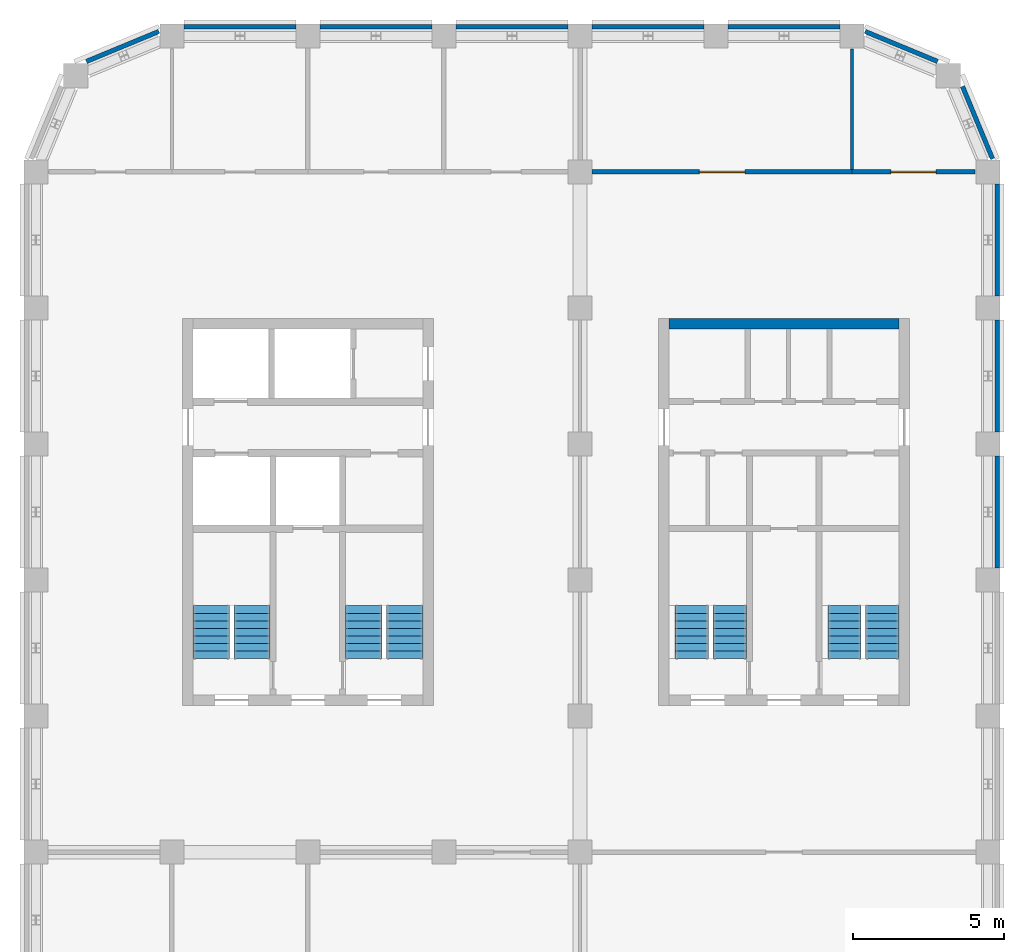
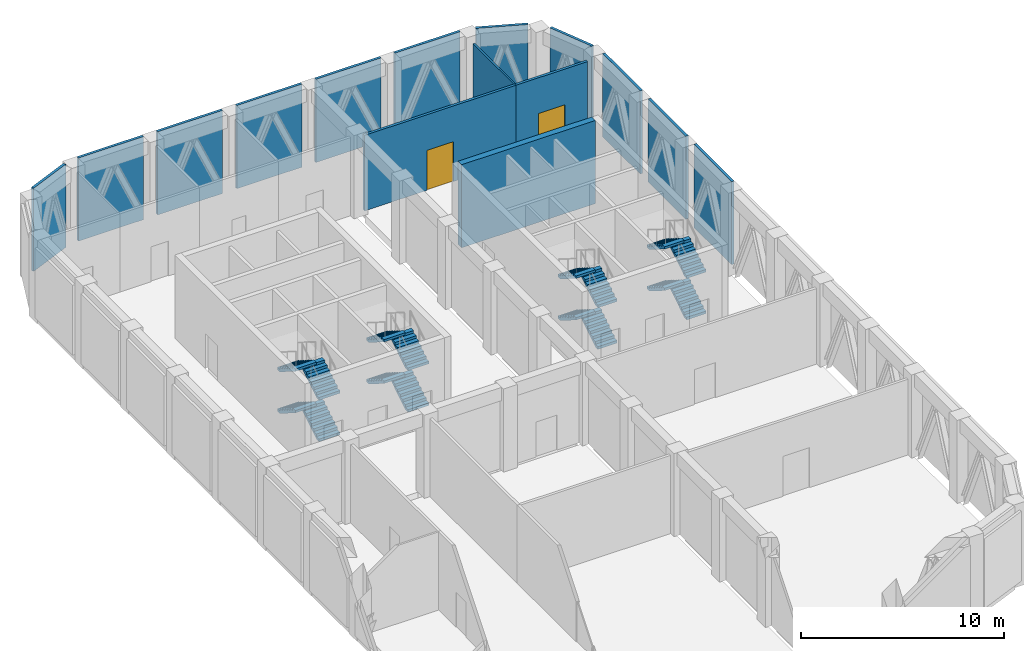
# One storey, part 5 of 7: 16 stair flights, 15 walls, 2 doors, 2 openings, 4 elements without a shape of their own.
"""IFC4 building model written with IfcOpenShell, lengths in metres."""

from ifc_helpers import new_model, si_unit, direction, frame, frame_2d, origin, place, context, subcontext, project, spatial, polyline, rectangle, outline, extrude, material, layer, layer_set, type_object, element, fill, aggregate, save


model = new_model("IFC4")

# Units and contexts
model_context = context("Model", 3, precision=1e-05, world=origin(), true_north=direction((0.0, 1.0)))
body_context = subcontext(model_context, "Body", "Model", "MODEL_VIEW")
ifc_project = project(units=[si_unit("LENGTHUNIT", "METRE"), si_unit("AREAUNIT", "SQUARE_METRE"), si_unit("VOLUMEUNIT", "CUBIC_METRE"), si_unit("PLANEANGLEUNIT", "RADIAN"), si_unit("MASSUNIT", "GRAM", prefix="KILO")], contexts=[model_context])

# Site, building, storey
site_placement = place(None, origin())
site = spatial("IfcSite", under=ifc_project, at=site_placement, CompositionType="ELEMENT")
building_placement = place(site_placement, origin())
building = spatial("IfcBuilding", under=site, at=building_placement, Name="Girih Gate Residences", CompositionType="ELEMENT")
storey_placement = place(building_placement, frame((0.0, 0.0, 201.89990234375)))
storey = spatial("IfcBuildingStorey", under=building, at=storey_placement, Name="L56", CompositionType="ELEMENT", Elevation=201.89990234375)

# Wall, opening, door
ifc_material_1 = material(Name="Gypsum board on steel studs", Category="steel")
ifc_layer_1 = layer(ifc_material_1, 0.14990234375)
ifc_layer_set_1 = layer_set([ifc_layer_1], Name="Compartment wall 150 mm")
wall_type_1 = type_object("IfcWallType", Name="Compartment wall 150 mm", PredefinedType="PARTITIONING", material=ifc_layer_set_1)
wall_1_placement = place(storey_placement, frame((18.39990234375, 45.0, 0.0), z_axis=(0.0, 0.0, 1.0), x_axis=(1.0, 0.0, 0.0)))
wall_1 = element("IfcWall", 1, at=wall_1_placement, inside=storey, type_object=wall_type_1, Name="L56 partition", PredefinedType="PARTITIONING", context=body_context, shape_type="SweptSolid", body=[
    extrude(rectangle(XDim=8.60009765625, YDim=0.14990234375, at=frame_2d((4.300048828125, 0.0))), origin(), (0.0, 0.0, 1.0), 4.545166015625),
])
opening_1_placement = place(wall_1_placement, frame((3.550048828125, 0.0, 0.0)))
opening_1 = element("IfcOpeningElement", 2, at=opening_1_placement, cuts=wall_1, Name="Opening D-L56-S-002", PredefinedType="OPENING", context=body_context, shape_type="SweptSolid", body=[
    extrude(rectangle(XDim=1.5, YDim=2.39990234375, at=frame_2d((0.75, 1.199951171875))), frame((0.0, 0.0849609375, 0.0), z_axis=(0.0, -1.0, 0.0), x_axis=(1.0, 0.0, 0.0)), (0.0, 0.0, 1.0), 0.169921875),
])
ifc_material_2 = material(Name="Painted steel, fire-resisting", Category="steel")
door_type = type_object("IfcDoorType", Name="Plant room door pair 1500x2400 FD60", OperationType="DOUBLE_DOOR_SINGLE_SWING", PredefinedType="DOOR", material=ifc_material_2)
door_1_placement = place(opening_1_placement, origin())
door_1 = element("IfcDoor", 3, at=door_1_placement, inside=storey, type_object=door_type, Name="Door L56-002", OperationType="DOUBLE_DOOR_SINGLE_SWING", OverallHeight=2.39990234375, OverallWidth=1.5, PredefinedType="DOOR", context=body_context, shape_type="SweptSolid", body=[
    extrude(rectangle(XDim=1.5, YDim=2.39990234375, at=frame_2d((0.75, 1.199951171875))), frame((0.0, 0.02490234375, 0.0), z_axis=(0.0, -1.0, 0.0), x_axis=(1.0, 0.0, 0.0)), (0.0, 0.0, 1.0), 0.050048828125),
])
fill(opening_1, door_1)

wall_2_placement = place(storey_placement, frame((27.0, 45.0, 0.0), z_axis=(0.0, 0.0, 1.0), x_axis=(1.0, 0.0, 0.0)))
wall_2 = element("IfcWall", 4, at=wall_2_placement, inside=storey, type_object=wall_type_1, Name="L56 partition", PredefinedType="PARTITIONING", context=body_context, shape_type="SweptSolid", body=[
    extrude(rectangle(XDim=4.067138671875, YDim=0.14990234375, at=frame_2d((2.03369140625, 0.0))), origin(), (0.0, 0.0, 1.0), 4.545166015625),
])
opening_2_placement = place(wall_2_placement, frame((1.283447265625, 0.0, 0.0)))
opening_2 = element("IfcOpeningElement", 5, at=opening_2_placement, cuts=wall_2, Name="Opening D-L56-S-003", PredefinedType="OPENING", context=body_context, shape_type="SweptSolid", body=[
    extrude(rectangle(XDim=1.5, YDim=2.39990234375, at=frame_2d((0.75, 1.199951171875))), frame((0.0, 0.0849609375, 0.0), z_axis=(0.0, -1.0, 0.0), x_axis=(1.0, 0.0, 0.0)), (0.0, 0.0, 1.0), 0.169921875),
])
door_2_placement = place(opening_2_placement, origin())
door_2 = element("IfcDoor", 6, at=door_2_placement, inside=storey, type_object=door_type, Name="Door L56-003", OperationType="DOUBLE_DOOR_SINGLE_SWING", OverallHeight=2.39990234375, OverallWidth=1.5, PredefinedType="DOOR", context=body_context, shape_type="SweptSolid", body=[
    extrude(rectangle(XDim=1.5, YDim=2.39990234375, at=frame_2d((0.75, 1.199951171875))), frame((0.0, 0.02490234375, 0.0), z_axis=(0.0, -1.0, 0.0), x_axis=(1.0, 0.0, 0.0)), (0.0, 0.0, 1.0), 0.050048828125),
])
fill(opening_2, door_2)

# Walls
ifc_layer_2 = layer(ifc_material_1, 0.10009765625)
ifc_layer_set_2 = layer_set([ifc_layer_2], Name="Partition 100 mm")
wall_type_2 = type_object("IfcWallType", Name="Partition 100 mm", PredefinedType="PARTITIONING", material=ifc_layer_set_2)
wall_3_placement = place(storey_placement, frame((27.0, 45.074951171875, 0.0), z_axis=(0.0, 0.0, 1.0), x_axis=(0.0, 1.0, 0.0)))
element("IfcWall", 7, at=wall_3_placement, inside=storey, type_object=wall_type_2, Name="L56 partition", PredefinedType="PARTITIONING", context=body_context, shape_type="SweptSolid", body=[
    extrude(rectangle(XDim=3.9921875, YDim=0.10009765625, at=frame_2d((1.99609375, 0.0))), origin(), (0.0, 0.0, 1.0), 4.545166015625),
])
ifc_material_3 = material(Name="Precast concrete C50/60", Category="concrete")
ifc_layer_3 = layer(ifc_material_3, 0.050048828125, Name="Outer leaf")
ifc_material_4 = material(Name="Rigid PIR insulation")
ifc_layer_4 = layer(ifc_material_4, 0.06005859375, Name="Insulation")
ifc_material_5 = material(Name="Precast concrete C40/50", Category="concrete")
ifc_layer_5 = layer(ifc_material_5, 0.0400390625, Name="Inner leaf")
ifc_layer_set_3 = layer_set([ifc_layer_3, ifc_layer_4, ifc_layer_5], Name="Precast concrete C50/60 external wall 150")
wall_type_3 = type_object("IfcWallType", Name="Precast concrete C50/60 external wall 150", PredefinedType="SOLIDWALL", material=ifc_layer_set_3)
for number, where, z_axis, x_axis, name in (
    (8, (31.800048828125, 35.60009765625, 0.0), (0.0, 0.0, 1.0), (0.0, -1.0, 0.0), "External wall E0315_0045.6"),
    (9, (31.800048828125, 40.10009765625, 0.0), (0.0, 0.0, 1.0), (0.0, -1.0, 0.0), "External wall E0315_0045.7"),
    (10, (31.800048828125, 44.60009765625, 0.0), (0.0, 0.0, 1.0), (0.0, -1.0, 0.0), "External wall E0315_0045.8"),
):
    element("IfcWall", number, at=place(storey_placement, frame(where, z_axis=z_axis, x_axis=x_axis)), inside=storey, type_object=wall_type_3, Name=name, PredefinedType="SOLIDWALL", context=body_context, shape_type="SweptSolid", body=[
        extrude(rectangle(XDim=3.7001953125, YDim=0.14990234375, at=frame_2d((1.85009765625, 0.0))), origin(), (0.0, 0.0, 1.0), 4.9951171875),
    ])
for number, where, z_axis, x_axis, name in (
    (11, (30.6513671875, 47.8330078125, 0.0), (0.0, 0.0, 1.0), (0.382669406082, -0.923885342263, 0.0), "External wall NE0315_0450.0"),
    (12, (27.4287109375, 49.647216796875, 0.0), (0.0, 0.0, 1.0), (0.923885342263, -0.382669406082, 0.0), "External wall NE0302_0482.0"),
):
    element("IfcWall", number, at=place(storey_placement, frame(where, z_axis=z_axis, x_axis=x_axis)), inside=storey, type_object=wall_type_3, Name=name, PredefinedType="SOLIDWALL", context=body_context, shape_type="SweptSolid", body=[
        extrude(rectangle(XDim=2.602294921875, YDim=0.14990234375, at=frame_2d((1.30126953125, 0.0))), origin(), (0.0, 0.0, 1.0), 4.9951171875),
    ])
for number, where, z_axis, x_axis, name in (
    (13, (22.89990234375, 49.800048828125, 0.0), (0.0, 0.0, 1.0), (1.0, 0.0, 0.0), "External wall N0270_0495.0"),
    (14, (18.39990234375, 49.800048828125, 0.0), (0.0, 0.0, 1.0), (1.0, 0.0, 0.0), "External wall N0270_0495.1"),
    (15, (13.89990234375, 49.800048828125, 0.0), (0.0, 0.0, 1.0), (1.0, 0.0, 0.0), "External wall N0270_0495.2"),
    (16, (9.39990234375, 49.800048828125, 0.0), (0.0, 0.0, 1.0), (1.0, 0.0, 0.0), "External wall N0270_0495.3"),
    (17, (4.89990234375, 49.800048828125, 0.0), (0.0, 0.0, 1.0), (1.0, 0.0, 0.0), "External wall N0270_0495.4"),
):
    element("IfcWall", number, at=place(storey_placement, frame(where, z_axis=z_axis, x_axis=x_axis)), inside=storey, type_object=wall_type_3, Name=name, PredefinedType="SOLIDWALL", context=body_context, shape_type="SweptSolid", body=[
        extrude(rectangle(XDim=3.7001953125, YDim=0.14990234375, at=frame_2d((1.85009765625, 0.0))), origin(), (0.0, 0.0, 1.0), 4.9951171875),
    ])
wall_4_placement = place(storey_placement, frame((1.6669921875, 48.6513671875, 0.0), z_axis=(0.0, 0.0, 1.0), x_axis=(0.923885342263, 0.382669406082, 0.0)))
element("IfcWall", 18, at=wall_4_placement, inside=storey, type_object=wall_type_3, Name="External wall NW0045_0495.0", PredefinedType="SOLIDWALL", context=body_context, shape_type="SweptSolid", body=[
    extrude(rectangle(XDim=2.602294921875, YDim=0.14990234375, at=frame_2d((1.30126953125, 0.0))), origin(), (0.0, 0.0, 1.0), 4.9951171875),
])
ifc_material_6 = material(Name="Concrete C40/50", Category="concrete")
ifc_layer_6 = layer(ifc_material_6, 0.35009765625)
ifc_layer_set_4 = layer_set([ifc_layer_6], Name="Stair core wall RC 350 Concrete C40/50")
wall_type_4 = type_object("IfcWallType", Name="Stair core wall RC 350 Concrete C40/50", PredefinedType="SOLIDWALL", material=ifc_layer_set_4)
wall_5_placement = place(storey_placement, frame((20.949951171875, 39.97509765625, 0.0), z_axis=(0.0, 0.0, 1.0), x_axis=(1.0, 0.0, 0.0)))
element("IfcWall", 19, at=wall_5_placement, inside=storey, type_object=wall_type_4, Name="Stair core wall C-N L56", PredefinedType="SOLIDWALL", context=body_context, shape_type="SweptSolid", body=[
    extrude(rectangle(XDim=7.60009765625, YDim=0.35009765625, at=frame_2d((3.800048828125, 0.0))), origin(), (0.0, 0.0, 1.0), 4.9951171875),
])

# Stair, stair flights
stair_type_1 = type_object("IfcStairType", Name="Exit stair C core", PredefinedType="HALF_TURN_STAIR", material=ifc_material_6)
stair_1_placement = place(storey_placement, origin())
stair_1 = element("IfcStair", 20, at=stair_1_placement, inside=storey, type_object=stair_type_1, Name="L56 Exit Stair ST-C1", PredefinedType="HALF_TURN_STAIR")
stair_flight_type_1 = type_object("IfcStairFlightType", Name="Stair flight 1100", PredefinedType="STRAIGHT", material=ifc_material_6)
stair_flight_1_placement = place(storey_placement, frame((22.949951171875, 28.89990234375, 0.0), z_axis=(0.0, 0.0, 1.0), x_axis=(0.0, 1.0, 0.0)))
stair_flight_1 = element("IfcStairFlight", 21, at=stair_flight_1_placement, type_object=stair_flight_type_1, Name="ST-C1 flight 1", NumberOfRisers=8, NumberOfTreads=7, PredefinedType="STRAIGHT", RiserHeight=0.15609375, TreadLength=0.25, context=body_context, shape_type="SweptSolid", body=[
    extrude(outline(polyline([(0.0, 0.0), (0.0, 0.156005859375), (0.25, 0.156005859375), (0.25, 0.312255859375), (0.5, 0.312255859375), (0.5, 0.46826171875), (0.75, 0.46826171875), (0.75, 0.624267578125), (1.0, 0.624267578125), (1.0, 0.780517578125), (1.25, 0.780517578125), (1.25, 0.9365234375), (1.5, 0.9365234375), (1.5, 1.0927734375), (1.75, 1.0927734375), (1.75, 1.248779296875), (1.75, 0.950927734375), (0.226806640625, 0.0), (0.0, 0.0)])), frame((0.0, 0.550048828125, 0.0), z_axis=(0.0, -1.0, 0.0), x_axis=(1.0, 0.0, 0.0)), (0.0, 0.0, 1.0), 1.10009765625),
])
stair_flight_2_placement = place(storey_placement, frame((21.699951171875, 30.64990234375, 1.248779296875), z_axis=(0.0, 0.0, 1.0), x_axis=(0.0, -1.0, 0.0)))
stair_flight_2 = element("IfcStairFlight", 22, at=stair_flight_2_placement, type_object=stair_flight_type_1, Name="ST-C1 flight 2", NumberOfRisers=8, NumberOfTreads=7, PredefinedType="STRAIGHT", RiserHeight=0.15609375, TreadLength=0.25, context=body_context, shape_type="SweptSolid", body=[
    extrude(outline(polyline([(0.0, 0.0), (0.0, 0.156005859375), (0.25, 0.156005859375), (0.25, 0.312255859375), (0.5, 0.312255859375), (0.5, 0.46826171875), (0.75, 0.46826171875), (0.75, 0.624267578125), (1.0, 0.624267578125), (1.0, 0.780517578125), (1.25, 0.780517578125), (1.25, 0.9365234375), (1.5, 0.9365234375), (1.5, 1.0927734375), (1.75, 1.0927734375), (1.75, 1.248779296875), (1.75, 0.950927734375), (0.226806640625, 0.0), (0.0, 0.0)])), frame((0.0, 0.550048828125, 0.0), z_axis=(0.0, -1.0, 0.0), x_axis=(1.0, 0.0, 0.0)), (0.0, 0.0, 1.0), 1.10009765625),
])
stair_flight_3_placement = place(storey_placement, frame((22.949951171875, 28.89990234375, 2.49755859375), z_axis=(0.0, 0.0, 1.0), x_axis=(0.0, 1.0, 0.0)))
stair_flight_3 = element("IfcStairFlight", 23, at=stair_flight_3_placement, type_object=stair_flight_type_1, Name="ST-C1 flight 3", NumberOfRisers=8, NumberOfTreads=7, PredefinedType="STRAIGHT", RiserHeight=0.15609375, TreadLength=0.25, context=body_context, shape_type="SweptSolid", body=[
    extrude(outline(polyline([(0.0, 0.0), (0.0, 0.156005859375), (0.25, 0.156005859375), (0.25, 0.312255859375), (0.5, 0.312255859375), (0.5, 0.46826171875), (0.75, 0.46826171875), (0.75, 0.624267578125), (1.0, 0.624267578125), (1.0, 0.780517578125), (1.25, 0.780517578125), (1.25, 0.9365234375), (1.5, 0.9365234375), (1.5, 1.0927734375), (1.75, 1.0927734375), (1.75, 1.248779296875), (1.75, 0.950927734375), (0.226806640625, 0.0), (0.0, 0.0)])), frame((0.0, 0.550048828125, 0.0), z_axis=(0.0, -1.0, 0.0), x_axis=(1.0, 0.0, 0.0)), (0.0, 0.0, 1.0), 1.10009765625),
])
stair_flight_4_placement = place(storey_placement, frame((21.699951171875, 30.64990234375, 3.746337890625), z_axis=(0.0, 0.0, 1.0), x_axis=(0.0, -1.0, 0.0)))
stair_flight_4 = element("IfcStairFlight", 24, at=stair_flight_4_placement, type_object=stair_flight_type_1, Name="ST-C1 flight 4", NumberOfRisers=8, NumberOfTreads=7, PredefinedType="STRAIGHT", RiserHeight=0.15609375, TreadLength=0.25, context=body_context, shape_type="SweptSolid", body=[
    extrude(outline(polyline([(0.0, 0.0), (0.0, 0.156005859375), (0.25, 0.156005859375), (0.25, 0.312255859375), (0.5, 0.312255859375), (0.5, 0.46826171875), (0.75, 0.46826171875), (0.75, 0.624267578125), (1.0, 0.624267578125), (1.0, 0.780517578125), (1.25, 0.780517578125), (1.25, 0.9365234375), (1.5, 0.9365234375), (1.5, 1.0927734375), (1.75, 1.0927734375), (1.75, 1.248779296875), (1.75, 0.950927734375), (0.226806640625, 0.0), (0.0, 0.0)])), frame((0.0, 0.550048828125, 0.0), z_axis=(0.0, -1.0, 0.0), x_axis=(1.0, 0.0, 0.0)), (0.0, 0.0, 1.0), 1.10009765625),
])
aggregate(stair_1, [stair_flight_1, stair_flight_2, stair_flight_3, stair_flight_4])

stair_2_placement = place(storey_placement, origin())
stair_2 = element("IfcStair", 25, at=stair_2_placement, inside=storey, type_object=stair_type_1, Name="L56 Exit Stair ST-C2", PredefinedType="HALF_TURN_STAIR")
stair_flight_5_placement = place(storey_placement, frame((28.0, 28.89990234375, 0.0), z_axis=(0.0, 0.0, 1.0), x_axis=(0.0, 1.0, 0.0)))
stair_flight_5 = element("IfcStairFlight", 26, at=stair_flight_5_placement, type_object=stair_flight_type_1, Name="ST-C2 flight 1", NumberOfRisers=8, NumberOfTreads=7, PredefinedType="STRAIGHT", RiserHeight=0.15609375, TreadLength=0.25, context=body_context, shape_type="SweptSolid", body=[
    extrude(outline(polyline([(0.0, 0.0), (0.0, 0.156005859375), (0.25, 0.156005859375), (0.25, 0.312255859375), (0.5, 0.312255859375), (0.5, 0.46826171875), (0.75, 0.46826171875), (0.75, 0.624267578125), (1.0, 0.624267578125), (1.0, 0.780517578125), (1.25, 0.780517578125), (1.25, 0.9365234375), (1.5, 0.9365234375), (1.5, 1.0927734375), (1.75, 1.0927734375), (1.75, 1.248779296875), (1.75, 0.950927734375), (0.226806640625, 0.0), (0.0, 0.0)])), frame((0.0, 0.550048828125, 0.0), z_axis=(0.0, -1.0, 0.0), x_axis=(1.0, 0.0, 0.0)), (0.0, 0.0, 1.0), 1.10009765625),
])
stair_flight_6_placement = place(storey_placement, frame((26.75, 30.64990234375, 1.248779296875), z_axis=(0.0, 0.0, 1.0), x_axis=(0.0, -1.0, 0.0)))
stair_flight_6 = element("IfcStairFlight", 27, at=stair_flight_6_placement, type_object=stair_flight_type_1, Name="ST-C2 flight 2", NumberOfRisers=8, NumberOfTreads=7, PredefinedType="STRAIGHT", RiserHeight=0.15609375, TreadLength=0.25, context=body_context, shape_type="SweptSolid", body=[
    extrude(outline(polyline([(0.0, 0.0), (0.0, 0.156005859375), (0.25, 0.156005859375), (0.25, 0.312255859375), (0.5, 0.312255859375), (0.5, 0.46826171875), (0.75, 0.46826171875), (0.75, 0.624267578125), (1.0, 0.624267578125), (1.0, 0.780517578125), (1.25, 0.780517578125), (1.25, 0.9365234375), (1.5, 0.9365234375), (1.5, 1.0927734375), (1.75, 1.0927734375), (1.75, 1.248779296875), (1.75, 0.950927734375), (0.226806640625, 0.0), (0.0, 0.0)])), frame((0.0, 0.550048828125, 0.0), z_axis=(0.0, -1.0, 0.0), x_axis=(1.0, 0.0, 0.0)), (0.0, 0.0, 1.0), 1.10009765625),
])
stair_flight_7_placement = place(storey_placement, frame((28.0, 28.89990234375, 2.49755859375), z_axis=(0.0, 0.0, 1.0), x_axis=(0.0, 1.0, 0.0)))
stair_flight_7 = element("IfcStairFlight", 28, at=stair_flight_7_placement, type_object=stair_flight_type_1, Name="ST-C2 flight 3", NumberOfRisers=8, NumberOfTreads=7, PredefinedType="STRAIGHT", RiserHeight=0.15609375, TreadLength=0.25, context=body_context, shape_type="SweptSolid", body=[
    extrude(outline(polyline([(0.0, 0.0), (0.0, 0.156005859375), (0.25, 0.156005859375), (0.25, 0.312255859375), (0.5, 0.312255859375), (0.5, 0.46826171875), (0.75, 0.46826171875), (0.75, 0.624267578125), (1.0, 0.624267578125), (1.0, 0.780517578125), (1.25, 0.780517578125), (1.25, 0.9365234375), (1.5, 0.9365234375), (1.5, 1.0927734375), (1.75, 1.0927734375), (1.75, 1.248779296875), (1.75, 0.950927734375), (0.226806640625, 0.0), (0.0, 0.0)])), frame((0.0, 0.550048828125, 0.0), z_axis=(0.0, -1.0, 0.0), x_axis=(1.0, 0.0, 0.0)), (0.0, 0.0, 1.0), 1.10009765625),
])
stair_flight_8_placement = place(storey_placement, frame((26.75, 30.64990234375, 3.746337890625), z_axis=(0.0, 0.0, 1.0), x_axis=(0.0, -1.0, 0.0)))
stair_flight_8 = element("IfcStairFlight", 29, at=stair_flight_8_placement, type_object=stair_flight_type_1, Name="ST-C2 flight 4", NumberOfRisers=8, NumberOfTreads=7, PredefinedType="STRAIGHT", RiserHeight=0.15609375, TreadLength=0.25, context=body_context, shape_type="SweptSolid", body=[
    extrude(outline(polyline([(0.0, 0.0), (0.0, 0.156005859375), (0.25, 0.156005859375), (0.25, 0.312255859375), (0.5, 0.312255859375), (0.5, 0.46826171875), (0.75, 0.46826171875), (0.75, 0.624267578125), (1.0, 0.624267578125), (1.0, 0.780517578125), (1.25, 0.780517578125), (1.25, 0.9365234375), (1.5, 0.9365234375), (1.5, 1.0927734375), (1.75, 1.0927734375), (1.75, 1.248779296875), (1.75, 0.950927734375), (0.226806640625, 0.0), (0.0, 0.0)])), frame((0.0, 0.550048828125, 0.0), z_axis=(0.0, -1.0, 0.0), x_axis=(1.0, 0.0, 0.0)), (0.0, 0.0, 1.0), 1.10009765625),
])
aggregate(stair_2, [stair_flight_5, stair_flight_6, stair_flight_7, stair_flight_8])

stair_type_2 = type_object("IfcStairType", Name="Exit stair", PredefinedType="HALF_TURN_STAIR", material=ifc_material_6)
stair_3_placement = place(storey_placement, origin())
stair_3 = element("IfcStair", 30, at=stair_3_placement, inside=storey, type_object=stair_type_2, Name="L56 Exit Stair ST-W1", PredefinedType="HALF_TURN_STAIR")
stair_flight_type_2 = type_object("IfcStairFlightType", Name="Stair flight 1200", PredefinedType="STRAIGHT", material=ifc_material_6)
stair_flight_9_placement = place(storey_placement, frame((7.14990234375, 28.89990234375, 0.0), z_axis=(0.0, 0.0, 1.0), x_axis=(0.0, 1.0, 0.0)))
stair_flight_9 = element("IfcStairFlight", 31, at=stair_flight_9_placement, type_object=stair_flight_type_2, Name="ST-W1 flight 1", NumberOfRisers=8, NumberOfTreads=7, PredefinedType="STRAIGHT", RiserHeight=0.15609375, TreadLength=0.25, context=body_context, shape_type="SweptSolid", body=[
    extrude(outline(polyline([(0.0, 0.0), (0.0, 0.01123046875), (0.0, 0.022216796875), (0.0, 0.033447265625), (0.0, 0.044677734375), (0.0, 0.0556640625), (0.0, 0.06689453125), (0.0, 0.078125), (0.0, 0.089111328125), (0.0, 0.100341796875), (0.0, 0.111572265625), (0.0, 0.12255859375), (0.0, 0.1337890625), (0.0, 0.14501953125), (0.0, 0.156005859375), (0.25, 0.156005859375), (0.25, 0.312255859375), (0.5, 0.312255859375), (0.5, 0.46826171875), (0.75, 0.46826171875), (0.75, 0.624267578125), (1.0, 0.624267578125), (1.0, 0.780517578125), (1.25, 0.780517578125), (1.25, 0.9365234375), (1.5, 0.9365234375), (1.5, 1.0927734375), (1.75, 1.0927734375), (1.75, 1.103759765625), (1.75, 1.114990234375), (1.75, 1.126220703125), (1.75, 1.13720703125), (1.75, 1.1484375), (1.75, 1.15966796875), (1.75, 1.170654296875), (1.75, 1.181884765625), (1.75, 1.193115234375), (1.75, 1.2041015625), (1.75, 1.21533203125), (1.75, 1.2265625), (1.75, 1.237548828125), (1.75, 1.248779296875), (1.75, 1.2275390625), (1.75, 1.206298828125), (1.75, 1.18505859375), (1.75, 1.16357421875), (1.75, 1.142333984375), (1.75, 1.12109375), (1.75, 1.099853515625), (1.75, 1.07861328125), (1.75, 1.057373046875), (1.75, 1.0361328125), (1.75, 1.014892578125), (1.75, 0.99365234375), (1.75, 0.972412109375), (1.75, 0.950927734375), (0.226806640625, 0.0), (0.0, 0.0)])), frame((0.0, 0.60009765625, 0.0), z_axis=(0.0, -1.0, 0.0), x_axis=(1.0, 0.0, 0.0)), (0.0, 0.0, 1.0), 1.199951171875),
])
stair_flight_10_placement = place(storey_placement, frame((5.800048828125, 30.64990234375, 1.248779296875), z_axis=(0.0, 0.0, 1.0), x_axis=(0.0, -1.0, 0.0)))
stair_flight_10 = element("IfcStairFlight", 32, at=stair_flight_10_placement, type_object=stair_flight_type_2, Name="ST-W1 flight 2", NumberOfRisers=8, NumberOfTreads=7, PredefinedType="STRAIGHT", RiserHeight=0.15609375, TreadLength=0.25, context=body_context, shape_type="SweptSolid", body=[
    extrude(outline(polyline([(0.0, 0.0), (0.0, 0.01123046875), (0.0, 0.022216796875), (0.0, 0.033447265625), (0.0, 0.044677734375), (0.0, 0.0556640625), (0.0, 0.06689453125), (0.0, 0.078125), (0.0, 0.089111328125), (0.0, 0.100341796875), (0.0, 0.111572265625), (0.0, 0.12255859375), (0.0, 0.1337890625), (0.0, 0.14501953125), (0.0, 0.156005859375), (0.25, 0.156005859375), (0.25, 0.312255859375), (0.5, 0.312255859375), (0.5, 0.46826171875), (0.75, 0.46826171875), (0.75, 0.624267578125), (1.0, 0.624267578125), (1.0, 0.780517578125), (1.25, 0.780517578125), (1.25, 0.9365234375), (1.5, 0.9365234375), (1.5, 1.0927734375), (1.75, 1.0927734375), (1.75, 1.103759765625), (1.75, 1.114990234375), (1.75, 1.126220703125), (1.75, 1.13720703125), (1.75, 1.1484375), (1.75, 1.15966796875), (1.75, 1.170654296875), (1.75, 1.181884765625), (1.75, 1.193115234375), (1.75, 1.2041015625), (1.75, 1.21533203125), (1.75, 1.2265625), (1.75, 1.237548828125), (1.75, 1.248779296875), (1.75, 1.2275390625), (1.75, 1.206298828125), (1.75, 1.18505859375), (1.75, 1.16357421875), (1.75, 1.142333984375), (1.75, 1.12109375), (1.75, 1.099853515625), (1.75, 1.07861328125), (1.75, 1.057373046875), (1.75, 1.0361328125), (1.75, 1.014892578125), (1.75, 0.99365234375), (1.75, 0.972412109375), (1.75, 0.950927734375), (0.226806640625, 0.0), (0.0, 0.0)])), frame((0.0, 0.60009765625, 0.0), z_axis=(0.0, -1.0, 0.0), x_axis=(1.0, 0.0, 0.0)), (0.0, 0.0, 1.0), 1.199951171875),
])
stair_flight_11_placement = place(storey_placement, frame((7.14990234375, 28.89990234375, 2.49755859375), z_axis=(0.0, 0.0, 1.0), x_axis=(0.0, 1.0, 0.0)))
stair_flight_11 = element("IfcStairFlight", 33, at=stair_flight_11_placement, type_object=stair_flight_type_2, Name="ST-W1 flight 3", NumberOfRisers=8, NumberOfTreads=7, PredefinedType="STRAIGHT", RiserHeight=0.15609375, TreadLength=0.25, context=body_context, shape_type="SweptSolid", body=[
    extrude(outline(polyline([(0.0, 0.0), (0.0, 0.01123046875), (0.0, 0.022216796875), (0.0, 0.033447265625), (0.0, 0.044677734375), (0.0, 0.0556640625), (0.0, 0.06689453125), (0.0, 0.078125), (0.0, 0.089111328125), (0.0, 0.100341796875), (0.0, 0.111572265625), (0.0, 0.12255859375), (0.0, 0.1337890625), (0.0, 0.14501953125), (0.0, 0.156005859375), (0.25, 0.156005859375), (0.25, 0.312255859375), (0.5, 0.312255859375), (0.5, 0.46826171875), (0.75, 0.46826171875), (0.75, 0.624267578125), (1.0, 0.624267578125), (1.0, 0.780517578125), (1.25, 0.780517578125), (1.25, 0.9365234375), (1.5, 0.9365234375), (1.5, 1.0927734375), (1.75, 1.0927734375), (1.75, 1.103759765625), (1.75, 1.114990234375), (1.75, 1.126220703125), (1.75, 1.13720703125), (1.75, 1.1484375), (1.75, 1.15966796875), (1.75, 1.170654296875), (1.75, 1.181884765625), (1.75, 1.193115234375), (1.75, 1.2041015625), (1.75, 1.21533203125), (1.75, 1.2265625), (1.75, 1.237548828125), (1.75, 1.248779296875), (1.75, 1.2275390625), (1.75, 1.206298828125), (1.75, 1.18505859375), (1.75, 1.16357421875), (1.75, 1.142333984375), (1.75, 1.12109375), (1.75, 1.099853515625), (1.75, 1.07861328125), (1.75, 1.057373046875), (1.75, 1.0361328125), (1.75, 1.014892578125), (1.75, 0.99365234375), (1.75, 0.972412109375), (1.75, 0.950927734375), (0.226806640625, 0.0), (0.0, 0.0)])), frame((0.0, 0.60009765625, 0.0), z_axis=(0.0, -1.0, 0.0), x_axis=(1.0, 0.0, 0.0)), (0.0, 0.0, 1.0), 1.199951171875),
])
stair_flight_12_placement = place(storey_placement, frame((5.800048828125, 30.64990234375, 3.746337890625), z_axis=(0.0, 0.0, 1.0), x_axis=(0.0, -1.0, 0.0)))
stair_flight_12 = element("IfcStairFlight", 34, at=stair_flight_12_placement, type_object=stair_flight_type_2, Name="ST-W1 flight 4", NumberOfRisers=8, NumberOfTreads=7, PredefinedType="STRAIGHT", RiserHeight=0.15609375, TreadLength=0.25, context=body_context, shape_type="SweptSolid", body=[
    extrude(outline(polyline([(0.0, 0.0), (0.0, 0.01123046875), (0.0, 0.022216796875), (0.0, 0.033447265625), (0.0, 0.044677734375), (0.0, 0.0556640625), (0.0, 0.06689453125), (0.0, 0.078125), (0.0, 0.089111328125), (0.0, 0.100341796875), (0.0, 0.111572265625), (0.0, 0.12255859375), (0.0, 0.1337890625), (0.0, 0.14501953125), (0.0, 0.156005859375), (0.25, 0.156005859375), (0.25, 0.312255859375), (0.5, 0.312255859375), (0.5, 0.46826171875), (0.75, 0.46826171875), (0.75, 0.624267578125), (1.0, 0.624267578125), (1.0, 0.780517578125), (1.25, 0.780517578125), (1.25, 0.9365234375), (1.5, 0.9365234375), (1.5, 1.0927734375), (1.75, 1.0927734375), (1.75, 1.103759765625), (1.75, 1.114990234375), (1.75, 1.126220703125), (1.75, 1.13720703125), (1.75, 1.1484375), (1.75, 1.15966796875), (1.75, 1.170654296875), (1.75, 1.181884765625), (1.75, 1.193115234375), (1.75, 1.2041015625), (1.75, 1.21533203125), (1.75, 1.2265625), (1.75, 1.237548828125), (1.75, 1.248779296875), (1.75, 1.2275390625), (1.75, 1.206298828125), (1.75, 1.18505859375), (1.75, 1.16357421875), (1.75, 1.142333984375), (1.75, 1.12109375), (1.75, 1.099853515625), (1.75, 1.07861328125), (1.75, 1.057373046875), (1.75, 1.0361328125), (1.75, 1.014892578125), (1.75, 0.99365234375), (1.75, 0.972412109375), (1.75, 0.950927734375), (0.226806640625, 0.0), (0.0, 0.0)])), frame((0.0, 0.60009765625, 0.0), z_axis=(0.0, -1.0, 0.0), x_axis=(1.0, 0.0, 0.0)), (0.0, 0.0, 1.0), 1.199951171875),
])
aggregate(stair_3, [stair_flight_9, stair_flight_10, stair_flight_11, stair_flight_12])

stair_4_placement = place(storey_placement, origin())
stair_4 = element("IfcStair", 35, at=stair_4_placement, inside=storey, type_object=stair_type_2, Name="L56 Exit Stair ST-W2", PredefinedType="HALF_TURN_STAIR")
stair_flight_13_placement = place(storey_placement, frame((12.199951171875, 28.89990234375, 0.0), z_axis=(0.0, 0.0, 1.0), x_axis=(0.0, 1.0, 0.0)))
stair_flight_13 = element("IfcStairFlight", 36, at=stair_flight_13_placement, type_object=stair_flight_type_2, Name="ST-W2 flight 1", NumberOfRisers=8, NumberOfTreads=7, PredefinedType="STRAIGHT", RiserHeight=0.15609375, TreadLength=0.25, context=body_context, shape_type="SweptSolid", body=[
    extrude(outline(polyline([(0.0, 0.0), (0.0, 0.01123046875), (0.0, 0.022216796875), (0.0, 0.033447265625), (0.0, 0.044677734375), (0.0, 0.0556640625), (0.0, 0.06689453125), (0.0, 0.078125), (0.0, 0.089111328125), (0.0, 0.100341796875), (0.0, 0.111572265625), (0.0, 0.12255859375), (0.0, 0.1337890625), (0.0, 0.14501953125), (0.0, 0.156005859375), (0.25, 0.156005859375), (0.25, 0.312255859375), (0.5, 0.312255859375), (0.5, 0.46826171875), (0.75, 0.46826171875), (0.75, 0.624267578125), (1.0, 0.624267578125), (1.0, 0.780517578125), (1.25, 0.780517578125), (1.25, 0.9365234375), (1.5, 0.9365234375), (1.5, 1.0927734375), (1.75, 1.0927734375), (1.75, 1.103759765625), (1.75, 1.114990234375), (1.75, 1.126220703125), (1.75, 1.13720703125), (1.75, 1.1484375), (1.75, 1.15966796875), (1.75, 1.170654296875), (1.75, 1.181884765625), (1.75, 1.193115234375), (1.75, 1.2041015625), (1.75, 1.21533203125), (1.75, 1.2265625), (1.75, 1.237548828125), (1.75, 1.248779296875), (1.75, 1.2275390625), (1.75, 1.206298828125), (1.75, 1.18505859375), (1.75, 1.16357421875), (1.75, 1.142333984375), (1.75, 1.12109375), (1.75, 1.099853515625), (1.75, 1.07861328125), (1.75, 1.057373046875), (1.75, 1.0361328125), (1.75, 1.014892578125), (1.75, 0.99365234375), (1.75, 0.972412109375), (1.75, 0.950927734375), (0.226806640625, 0.0), (0.0, 0.0)])), frame((0.0, 0.60009765625, 0.0), z_axis=(0.0, -1.0, 0.0), x_axis=(1.0, 0.0, 0.0)), (0.0, 0.0, 1.0), 1.199951171875),
])
stair_flight_14_placement = place(storey_placement, frame((10.85009765625, 30.64990234375, 1.248779296875), z_axis=(0.0, 0.0, 1.0), x_axis=(0.0, -1.0, 0.0)))
stair_flight_14 = element("IfcStairFlight", 37, at=stair_flight_14_placement, type_object=stair_flight_type_2, Name="ST-W2 flight 2", NumberOfRisers=8, NumberOfTreads=7, PredefinedType="STRAIGHT", RiserHeight=0.15609375, TreadLength=0.25, context=body_context, shape_type="SweptSolid", body=[
    extrude(outline(polyline([(0.0, 0.0), (0.0, 0.01123046875), (0.0, 0.022216796875), (0.0, 0.033447265625), (0.0, 0.044677734375), (0.0, 0.0556640625), (0.0, 0.06689453125), (0.0, 0.078125), (0.0, 0.089111328125), (0.0, 0.100341796875), (0.0, 0.111572265625), (0.0, 0.12255859375), (0.0, 0.1337890625), (0.0, 0.14501953125), (0.0, 0.156005859375), (0.25, 0.156005859375), (0.25, 0.312255859375), (0.5, 0.312255859375), (0.5, 0.46826171875), (0.75, 0.46826171875), (0.75, 0.624267578125), (1.0, 0.624267578125), (1.0, 0.780517578125), (1.25, 0.780517578125), (1.25, 0.9365234375), (1.5, 0.9365234375), (1.5, 1.0927734375), (1.75, 1.0927734375), (1.75, 1.103759765625), (1.75, 1.114990234375), (1.75, 1.126220703125), (1.75, 1.13720703125), (1.75, 1.1484375), (1.75, 1.15966796875), (1.75, 1.170654296875), (1.75, 1.181884765625), (1.75, 1.193115234375), (1.75, 1.2041015625), (1.75, 1.21533203125), (1.75, 1.2265625), (1.75, 1.237548828125), (1.75, 1.248779296875), (1.75, 1.2275390625), (1.75, 1.206298828125), (1.75, 1.18505859375), (1.75, 1.16357421875), (1.75, 1.142333984375), (1.75, 1.12109375), (1.75, 1.099853515625), (1.75, 1.07861328125), (1.75, 1.057373046875), (1.75, 1.0361328125), (1.75, 1.014892578125), (1.75, 0.99365234375), (1.75, 0.972412109375), (1.75, 0.950927734375), (0.226806640625, 0.0), (0.0, 0.0)])), frame((0.0, 0.60009765625, 0.0), z_axis=(0.0, -1.0, 0.0), x_axis=(1.0, 0.0, 0.0)), (0.0, 0.0, 1.0), 1.199951171875),
])
stair_flight_15_placement = place(storey_placement, frame((12.199951171875, 28.89990234375, 2.49755859375), z_axis=(0.0, 0.0, 1.0), x_axis=(0.0, 1.0, 0.0)))
stair_flight_15 = element("IfcStairFlight", 38, at=stair_flight_15_placement, type_object=stair_flight_type_2, Name="ST-W2 flight 3", NumberOfRisers=8, NumberOfTreads=7, PredefinedType="STRAIGHT", RiserHeight=0.15609375, TreadLength=0.25, context=body_context, shape_type="SweptSolid", body=[
    extrude(outline(polyline([(0.0, 0.0), (0.0, 0.01123046875), (0.0, 0.022216796875), (0.0, 0.033447265625), (0.0, 0.044677734375), (0.0, 0.0556640625), (0.0, 0.06689453125), (0.0, 0.078125), (0.0, 0.089111328125), (0.0, 0.100341796875), (0.0, 0.111572265625), (0.0, 0.12255859375), (0.0, 0.1337890625), (0.0, 0.14501953125), (0.0, 0.156005859375), (0.25, 0.156005859375), (0.25, 0.312255859375), (0.5, 0.312255859375), (0.5, 0.46826171875), (0.75, 0.46826171875), (0.75, 0.624267578125), (1.0, 0.624267578125), (1.0, 0.780517578125), (1.25, 0.780517578125), (1.25, 0.9365234375), (1.5, 0.9365234375), (1.5, 1.0927734375), (1.75, 1.0927734375), (1.75, 1.103759765625), (1.75, 1.114990234375), (1.75, 1.126220703125), (1.75, 1.13720703125), (1.75, 1.1484375), (1.75, 1.15966796875), (1.75, 1.170654296875), (1.75, 1.181884765625), (1.75, 1.193115234375), (1.75, 1.2041015625), (1.75, 1.21533203125), (1.75, 1.2265625), (1.75, 1.237548828125), (1.75, 1.248779296875), (1.75, 1.2275390625), (1.75, 1.206298828125), (1.75, 1.18505859375), (1.75, 1.16357421875), (1.75, 1.142333984375), (1.75, 1.12109375), (1.75, 1.099853515625), (1.75, 1.07861328125), (1.75, 1.057373046875), (1.75, 1.0361328125), (1.75, 1.014892578125), (1.75, 0.99365234375), (1.75, 0.972412109375), (1.75, 0.950927734375), (0.226806640625, 0.0), (0.0, 0.0)])), frame((0.0, 0.60009765625, 0.0), z_axis=(0.0, -1.0, 0.0), x_axis=(1.0, 0.0, 0.0)), (0.0, 0.0, 1.0), 1.199951171875),
])
stair_flight_16_placement = place(storey_placement, frame((10.85009765625, 30.64990234375, 3.746337890625), z_axis=(0.0, 0.0, 1.0), x_axis=(0.0, -1.0, 0.0)))
stair_flight_16 = element("IfcStairFlight", 39, at=stair_flight_16_placement, type_object=stair_flight_type_2, Name="ST-W2 flight 4", NumberOfRisers=8, NumberOfTreads=7, PredefinedType="STRAIGHT", RiserHeight=0.15609375, TreadLength=0.25, context=body_context, shape_type="SweptSolid", body=[
    extrude(outline(polyline([(0.0, 0.0), (0.0, 0.01123046875), (0.0, 0.022216796875), (0.0, 0.033447265625), (0.0, 0.044677734375), (0.0, 0.0556640625), (0.0, 0.06689453125), (0.0, 0.078125), (0.0, 0.089111328125), (0.0, 0.100341796875), (0.0, 0.111572265625), (0.0, 0.12255859375), (0.0, 0.1337890625), (0.0, 0.14501953125), (0.0, 0.156005859375), (0.25, 0.156005859375), (0.25, 0.312255859375), (0.5, 0.312255859375), (0.5, 0.46826171875), (0.75, 0.46826171875), (0.75, 0.624267578125), (1.0, 0.624267578125), (1.0, 0.780517578125), (1.25, 0.780517578125), (1.25, 0.9365234375), (1.5, 0.9365234375), (1.5, 1.0927734375), (1.75, 1.0927734375), (1.75, 1.103759765625), (1.75, 1.114990234375), (1.75, 1.126220703125), (1.75, 1.13720703125), (1.75, 1.1484375), (1.75, 1.15966796875), (1.75, 1.170654296875), (1.75, 1.181884765625), (1.75, 1.193115234375), (1.75, 1.2041015625), (1.75, 1.21533203125), (1.75, 1.2265625), (1.75, 1.237548828125), (1.75, 1.248779296875), (1.75, 1.2275390625), (1.75, 1.206298828125), (1.75, 1.18505859375), (1.75, 1.16357421875), (1.75, 1.142333984375), (1.75, 1.12109375), (1.75, 1.099853515625), (1.75, 1.07861328125), (1.75, 1.057373046875), (1.75, 1.0361328125), (1.75, 1.014892578125), (1.75, 0.99365234375), (1.75, 0.972412109375), (1.75, 0.950927734375), (0.226806640625, 0.0), (0.0, 0.0)])), frame((0.0, 0.60009765625, 0.0), z_axis=(0.0, -1.0, 0.0), x_axis=(1.0, 0.0, 0.0)), (0.0, 0.0, 1.0), 1.199951171875),
])
aggregate(stair_4, [stair_flight_13, stair_flight_14, stair_flight_15, stair_flight_16])

save(model, "model.ifc")
